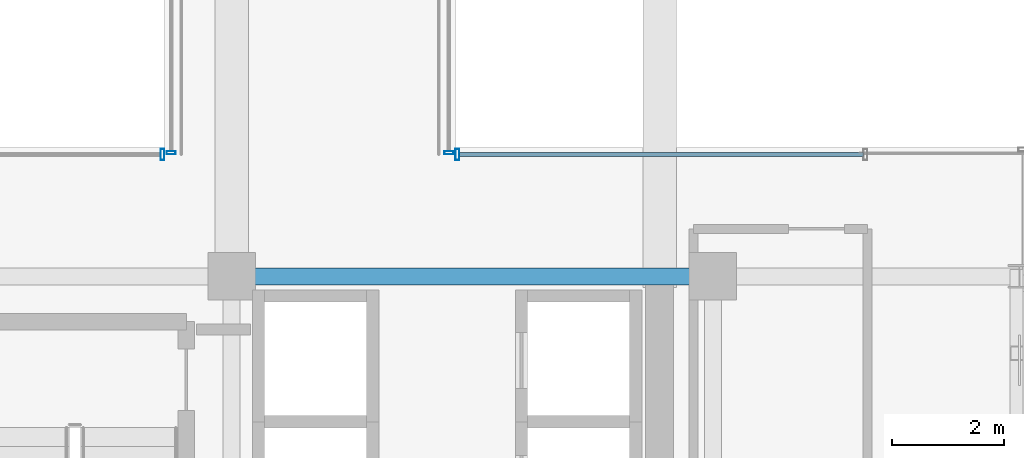
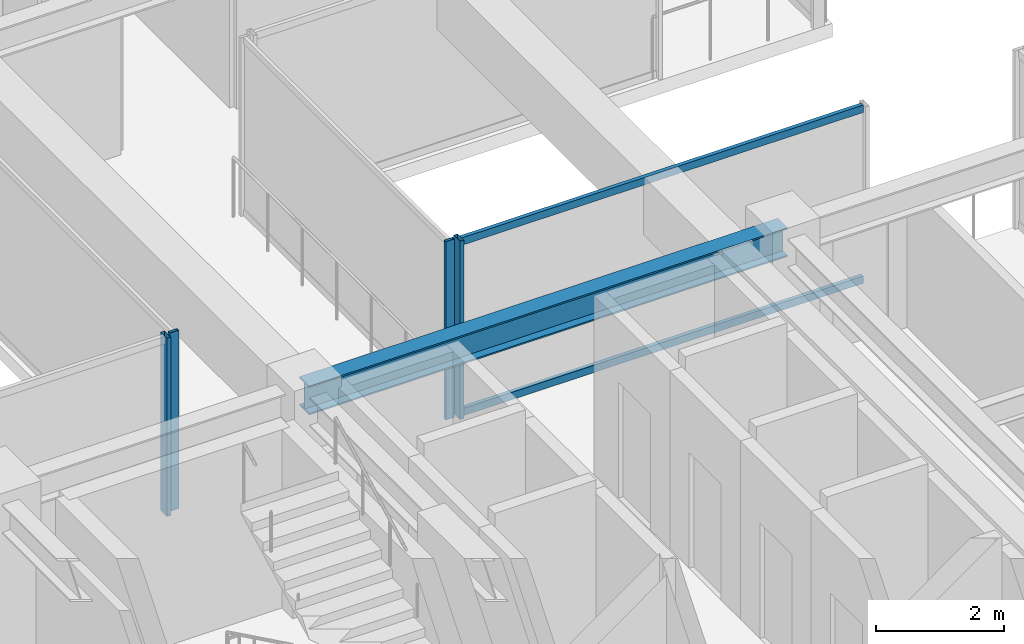
# One storey, part 15 of 36: 6 members, 1 beam, 4 elements without a shape of their own.
"""IFC4 building model written with IfcOpenShell, lengths in metres."""

from ifc_helpers import new_model, si_unit, direction, frame, origin, origin_2d, place, context, subcontext, project, spatial, hollow_rectangle, i_section, extrude, source, transform, mapped, material, material_profile, profile_set, type_object, element, aggregate, save


model = new_model("IFC4")

# Units and contexts
model_context = context("Model", 3, precision=1e-05, world=origin(), true_north=direction((0.0, 1.0)))
body_context = subcontext(model_context, "Body", "Model", "MODEL_VIEW")
ifc_project = project(units=[si_unit("LENGTHUNIT", "METRE"), si_unit("AREAUNIT", "SQUARE_METRE"), si_unit("VOLUMEUNIT", "CUBIC_METRE"), si_unit("PLANEANGLEUNIT", "RADIAN"), si_unit("MASSUNIT", "GRAM", prefix="KILO")], contexts=[model_context])

# Site, building, storey
site_placement = place(None, origin())
site = spatial("IfcSite", under=ifc_project, at=site_placement, CompositionType="ELEMENT")
building_placement = place(site_placement, origin())
building = spatial("IfcBuilding", under=site, at=building_placement, Name="Nahalor Promenade Grand Hotel", CompositionType="ELEMENT")
storey_placement = place(building_placement, frame((0.0, 0.0, 170.89990234375)))
storey = spatial("IfcBuildingStorey", under=building, at=storey_placement, Name="L43", CompositionType="ELEMENT", Elevation=170.89990234375)

# Beam
ifc_material_1 = material(Name="Steel S355JR", Category="steel")
ifc_material_profile_1 = material_profile(ifc_material_1, i_section(OverallWidth=0.3, OverallDepth=0.55, WebThickness=0.015, FlangeThickness=0.029, at=origin_2d()), Name="HEB 550")
ifc_profile_set_1 = profile_set([ifc_material_profile_1], Name="Steel S355JR")
beam_type = type_object("IfcBeamType", Name="Beam-Girder-HEB550", PredefinedType="BEAM", material=ifc_profile_set_1)
shared_shape_1 = source(origin(), body_context, "Body", "SweptSolid", [
    extrude(i_section(OverallWidth=0.3, OverallDepth=0.55, WebThickness=0.015, FlangeThickness=0.029, at=origin_2d()), origin(), (0.0, 0.0, 1.0), 8.60009765625),
])
beam_placement = place(storey_placement, frame((8.39990234375, -5.39990234375, 3.114990234375), z_axis=(1.0, 0.0, 0.0), x_axis=(0.0, 1.0, 0.0)))
element("IfcBeam", 1, at=beam_placement, inside=storey, type_object=beam_type, Name="BM-L43-GX-1-5", PredefinedType="BEAM", context=body_context, shape_type="MappedRepresentation", body=[
    mapped(shared_shape_1, transform((0.0, 0.0, 0.0), scale=1.0)),
])

# Curtain wall, member
ifc_material_2 = material(Name="Anodised Bronze Aluminium EN AW-6063 T6", Category="aluminium")
curtain_wall_type_1 = type_object("IfcCurtainWallType", Name="CW3 Elliptical-Void Collar Unitised Curtain Wall", PredefinedType="USERDEFINED", material=ifc_material_2)
curtain_wall_1_placement = place(storey_placement, origin())
curtain_wall_1 = element("IfcCurtainWall", 2, at=curtain_wall_1_placement, inside=storey, type_object=curtain_wall_type_1, Name="L43 Curtain Wall CW-L43-VOID-WS1", ObjectType="UNITISED_CURTAIN_WALL", PredefinedType="USERDEFINED")
ifc_material_profile_2 = material_profile(ifc_material_2, hollow_rectangle(XDim=0.07, YDim=0.2, WallThickness=0.005, at=origin_2d()), Name="CWM 70x200x5")
ifc_profile_set_2 = profile_set([ifc_material_profile_2], Name="Anodised Bronze Aluminium EN AW-6063 T6")
member_type_1 = type_object("IfcMemberType", Name="CWM3 Void Collar Mullion 70x200", PredefinedType="MULLION", material=ifc_profile_set_2)
shared_shape_2 = source(origin(), body_context, "Body", "SweptSolid", [
    extrude(hollow_rectangle(XDim=0.07, YDim=0.2, WallThickness=0.005, at=origin_2d()), origin(), (0.0, 0.0, 1.0), 3.39013671875),
])
member_1_placement = place(storey_placement, frame((7.1650390625, -3.219970703125, 0.0), z_axis=(0.0, 0.0, 1.0), x_axis=(1.0, 0.0, 0.0)))
member_1 = element("IfcMember", 3, at=member_1_placement, type_object=member_type_1, Name="CW-L43-VOID-WS1 Mullion 3", PredefinedType="MULLION", context=body_context, shape_type="MappedRepresentation", body=[
    mapped(shared_shape_2, transform((0.0, 0.0, 0.0), scale=1.0)),
])
aggregate(curtain_wall_1, [member_1])

# Curtain wall, members
curtain_wall_2_placement = place(storey_placement, origin())
curtain_wall_2 = element("IfcCurtainWall", 4, at=curtain_wall_2_placement, inside=storey, type_object=curtain_wall_type_1, Name="L43 Curtain Wall CW-L43-VOID-ES1", ObjectType="UNITISED_CURTAIN_WALL", PredefinedType="USERDEFINED")
member_2_placement = place(storey_placement, frame((12.43505859375, -3.219970703125, 0.0), z_axis=(0.0, 0.0, 1.0), x_axis=(1.0, 0.0, 0.0)))
member_2 = element("IfcMember", 5, at=member_2_placement, type_object=member_type_1, Name="CW-L43-VOID-ES1 Mullion 0", PredefinedType="MULLION", context=body_context, shape_type="MappedRepresentation", body=[
    mapped(shared_shape_2, transform((0.0, 0.0, 0.0), scale=1.0)),
])
ifc_material_profile_3 = material_profile(ifc_material_2, hollow_rectangle(XDim=0.07, YDim=0.14, WallThickness=0.004, at=origin_2d()), Name="CWT 70x140x4")
ifc_profile_set_3 = profile_set([ifc_material_profile_3], Name="Anodised Bronze Aluminium EN AW-6063 T6")
member_type_2 = type_object("IfcMemberType", Name="CWT3 Void Collar Transom 70x140", PredefinedType="USERDEFINED", material=ifc_profile_set_3)
shared_shape_3 = source(origin(), body_context, "Body", "SweptSolid", [
    extrude(hollow_rectangle(XDim=0.07, YDim=0.14, WallThickness=0.004, at=origin_2d()), origin(), (0.0, 0.0, 1.0), 7.219970703125),
])
member_3_placement = place(storey_placement, frame((12.469970703125, -3.219970703125, 0.070068359375), z_axis=(1.0, 0.0, 0.0), x_axis=(0.0, 1.0, 0.0)))
member_3 = element("IfcMember", 6, at=member_3_placement, type_object=member_type_2, Name="CW-L43-VOID-ES1 Transom 0-0", ObjectType="TRANSOM", PredefinedType="USERDEFINED", context=body_context, shape_type="MappedRepresentation", body=[
    mapped(shared_shape_3, transform((0.0, 0.0, 0.0), scale=1.0)),
])
member_4_placement = place(storey_placement, frame((12.469970703125, -3.219970703125, 3.320068359375), z_axis=(1.0, 0.0, 0.0), x_axis=(0.0, 1.0, 0.0)))
member_4 = element("IfcMember", 7, at=member_4_placement, type_object=member_type_2, Name="CW-L43-VOID-ES1 Transom 0-1", ObjectType="TRANSOM", PredefinedType="USERDEFINED", context=body_context, shape_type="MappedRepresentation", body=[
    mapped(shared_shape_3, transform((0.0, 0.0, 0.0), scale=1.0)),
])
aggregate(curtain_wall_2, [member_2, member_3, member_4])

# Curtain wall, member
curtain_wall_type_2 = type_object("IfcCurtainWallType", Name="CW4 Low-Iron Sky-Gallery Bridge Curtain Wall", PredefinedType="USERDEFINED", material=ifc_material_2)
curtain_wall_3_placement = place(storey_placement, origin())
curtain_wall_3 = element("IfcCurtainWall", 8, at=curtain_wall_3_placement, inside=storey, type_object=curtain_wall_type_2, Name="L43 Curtain Wall CW-L43-BRG-W", ObjectType="UNITISED_CURTAIN_WALL", PredefinedType="USERDEFINED")
ifc_material_profile_4 = material_profile(ifc_material_2, hollow_rectangle(XDim=0.06, YDim=0.16, WallThickness=0.004, at=origin_2d()), Name="CWM 60x160x4")
ifc_profile_set_4 = profile_set([ifc_material_profile_4], Name="Anodised Bronze Aluminium EN AW-6063 T6")
member_type_3 = type_object("IfcMemberType", Name="CWM4 Sky-Gallery Slim Mullion 60x160", PredefinedType="MULLION", material=ifc_profile_set_4)
shared_shape_4 = source(origin(), body_context, "Body", "SweptSolid", [
    extrude(hollow_rectangle(XDim=0.06, YDim=0.16, WallThickness=0.004, at=origin_2d()), origin(), (0.0, 0.0, 1.0), 3.39013671875),
])
member_5_placement = place(storey_placement, frame((7.320068359375, -3.18994140625, 0.0), z_axis=(0.0, 0.0, 1.0), x_axis=(0.0, 1.0, 0.0)))
member_5 = element("IfcMember", 9, at=member_5_placement, type_object=member_type_3, Name="CW-L43-BRG-W Mullion 0", PredefinedType="MULLION", context=body_context, shape_type="MappedRepresentation", body=[
    mapped(shared_shape_4, transform((0.0, 0.0, 0.0), scale=1.0)),
])
aggregate(curtain_wall_3, [member_5])

curtain_wall_4_placement = place(storey_placement, origin())
curtain_wall_4 = element("IfcCurtainWall", 10, at=curtain_wall_4_placement, inside=storey, type_object=curtain_wall_type_2, Name="L43 Curtain Wall CW-L43-BRG-E", ObjectType="UNITISED_CURTAIN_WALL", PredefinedType="USERDEFINED")
member_6_placement = place(storey_placement, frame((12.280029296875, -3.18994140625, 0.0), z_axis=(0.0, 0.0, 1.0), x_axis=(0.0, 1.0, 0.0)))
member_6 = element("IfcMember", 11, at=member_6_placement, type_object=member_type_3, Name="CW-L43-BRG-E Mullion 0", PredefinedType="MULLION", context=body_context, shape_type="MappedRepresentation", body=[
    mapped(shared_shape_4, transform((0.0, 0.0, 0.0), scale=1.0)),
])
aggregate(curtain_wall_4, [member_6])

save(model, "model.ifc")
